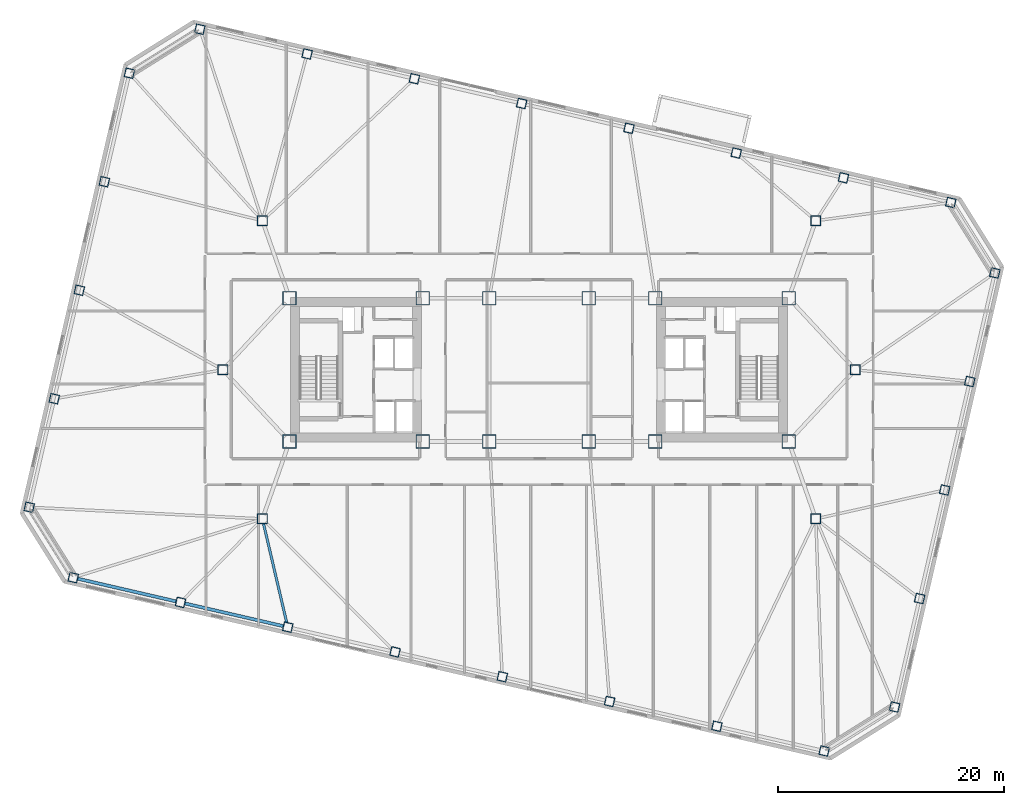
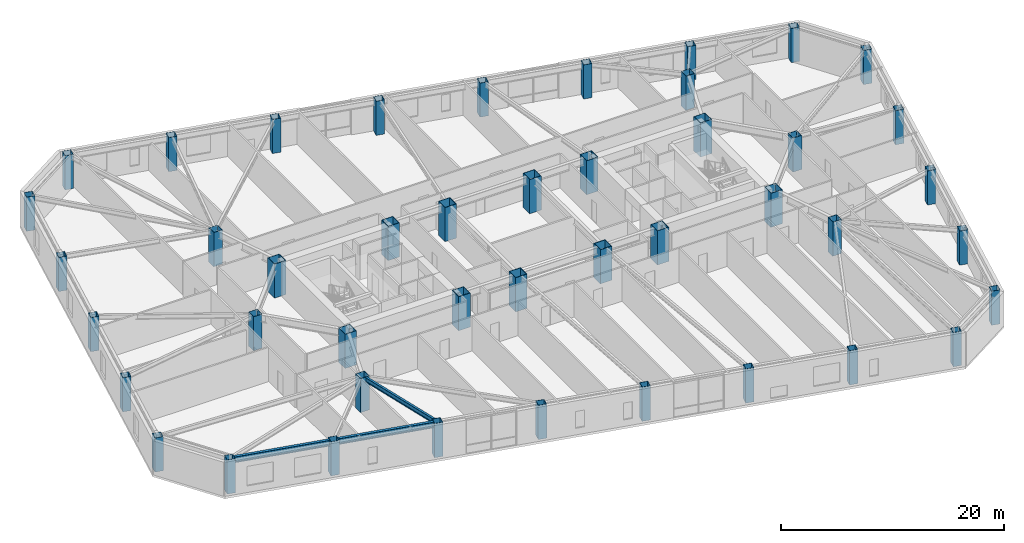
# One storey, part 1 of 19: 44 columns, 3 beams.
"""IFC4 building model written with IfcOpenShell, lengths in metres."""

from ifc_helpers import new_model, si_unit, direction, frame, origin, origin_2d, place, context, subcontext, project, spatial, hollow_rectangle, i_section, extrude, material, material_profile, profile_set, type_object, element, save


model = new_model("IFC4")

# Units and contexts
model_context = context("Model", 3, precision=1e-05, world=origin(), true_north=direction((0.0, 1.0)))
body_context = subcontext(model_context, "Body", "Model", "MODEL_VIEW")
ifc_project = project(units=[si_unit("LENGTHUNIT", "METRE"), si_unit("AREAUNIT", "SQUARE_METRE"), si_unit("VOLUMEUNIT", "CUBIC_METRE"), si_unit("PLANEANGLEUNIT", "RADIAN"), si_unit("MASSUNIT", "GRAM", prefix="KILO")], contexts=[model_context])

# Site, building, storey
site_placement = place(None, origin())
site = spatial("IfcSite", under=ifc_project, at=site_placement, CompositionType="ELEMENT")
building_placement = place(site_placement, origin())
building = spatial("IfcBuilding", under=site, at=building_placement, Name="Tavrogorsk Clinical Tower", CompositionType="ELEMENT")
storey_placement = place(building_placement, frame((0.0, 0.0, 75.39990234375)))
storey = spatial("IfcBuildingStorey", under=building, at=storey_placement, Name="L16", CompositionType="ELEMENT", Elevation=75.39990234375)

# Columns
ifc_material_1 = material(Name="Structural steel S440", Category="steel")
ifc_material_profile_1 = material_profile(ifc_material_1, hollow_rectangle(XDim=1.199951171875, YDim=1.199951171875, WallThickness=0.050048828125, at=origin_2d()), Name="BOX-1200x1200x50")
ifc_profile_set_1 = profile_set([ifc_material_profile_1], Name="Structural steel S440")
column_type_1 = type_object("IfcColumnType", Name="MegaCol_BOX1200", PredefinedType="COLUMN", material=ifc_profile_set_1)
for number, where, z_axis, x_axis, name in (
    (1, (-22.10009765625, -6.35009765625, 0.0), (0.0, 0.0, 1.0), (1.0, 0.0, 0.0), "L16 Mega Column MC-W1"),
    (2, (-22.10009765625, 6.35009765625, 0.0), (0.0, 0.0, 1.0), (1.0, 0.0, 0.0), "L16 Mega Column MC-W2"),
    (3, (-10.300048828125, -6.35009765625, 0.0), (0.0, 0.0, 1.0), (1.0, 0.0, 0.0), "L16 Mega Column MC-W3"),
    (4, (-10.300048828125, 6.35009765625, 0.0), (0.0, 0.0, 1.0), (1.0, 0.0, 0.0), "L16 Mega Column MC-W4"),
    (5, (10.300048828125, -6.35009765625, 0.0), (0.0, 0.0, 1.0), (1.0, 0.0, 0.0), "L16 Mega Column MC-E1"),
    (6, (10.300048828125, 6.35009765625, 0.0), (0.0, 0.0, 1.0), (1.0, 0.0, 0.0), "L16 Mega Column MC-E2"),
    (7, (22.10009765625, -6.35009765625, 0.0), (0.0, 0.0, 1.0), (1.0, 0.0, 0.0), "L16 Mega Column MC-E3"),
    (8, (22.10009765625, 6.35009765625, 0.0), (0.0, 0.0, 1.0), (1.0, 0.0, 0.0), "L16 Mega Column MC-E4"),
    (9, (-4.39990234375, -6.35009765625, 0.0), (0.0, 0.0, 1.0), (1.0, 0.0, 0.0), "L16 Mega Column MC-C1"),
    (10, (4.39990234375, -6.35009765625, 0.0), (0.0, 0.0, 1.0), (1.0, 0.0, 0.0), "L16 Mega Column MC-C2"),
    (11, (-4.39990234375, 6.35009765625, 0.0), (0.0, 0.0, 1.0), (1.0, 0.0, 0.0), "L16 Mega Column MC-C3"),
    (12, (4.39990234375, 6.35009765625, 0.0), (0.0, 0.0, 1.0), (1.0, 0.0, 0.0), "L16 Mega Column MC-C4"),
):
    element("IfcColumn", number, at=place(storey_placement, frame(where, z_axis=z_axis, x_axis=x_axis)), inside=storey, type_object=column_type_1, Name=name, PredefinedType="COLUMN", context=body_context, shape_type="SweptSolid", body=[
        extrude(hollow_rectangle(XDim=1.199951171875, YDim=1.199951171875, WallThickness=0.050048828125, at=origin_2d()), origin(), (0.0, 0.0, 1.0), 3.739990234375),
    ])
ifc_material_2 = material(Name="Structural steel S440", Category="steel")
ifc_material_profile_2 = material_profile(ifc_material_2, hollow_rectangle(XDim=0.89990234375, YDim=0.89990234375, WallThickness=0.0400390625, at=origin_2d()), Name="BOX-900x900x40")
ifc_profile_set_2 = profile_set([ifc_material_profile_2], Name="Structural steel S440")
column_type_2 = type_object("IfcColumnType", Name="MegaCol_BOX900", PredefinedType="COLUMN", material=ifc_profile_set_2)
for number, where, z_axis, x_axis, name in (
    (13, (-24.5, -13.199951171875, 0.0), (0.0, 0.0, 1.0), (1.0, 0.0, 0.0), "L16 Spine Pilotis Column MC-P1"),
    (14, (24.5, -13.199951171875, 0.0), (0.0, 0.0, 1.0), (1.0, 0.0, 0.0), "L16 Spine Pilotis Column MC-P2"),
    (15, (-24.5, 13.199951171875, 0.0), (0.0, 0.0, 1.0), (1.0, 0.0, 0.0), "L16 Spine Pilotis Column MC-P3"),
    (16, (24.5, 13.199951171875, 0.0), (0.0, 0.0, 1.0), (1.0, 0.0, 0.0), "L16 Spine Pilotis Column MC-P4"),
    (17, (-28.0, 0.0, 0.0), (0.0, 0.0, 1.0), (1.0, 0.0, 0.0), "L16 Spine Pilotis Column MC-P5"),
    (18, (28.0, 0.0, 0.0), (0.0, 0.0, 1.0), (1.0, 0.0, 0.0), "L16 Spine Pilotis Column MC-P6"),
):
    element("IfcColumn", number, at=place(storey_placement, frame(where, z_axis=z_axis, x_axis=x_axis)), inside=storey, type_object=column_type_2, Name=name, PredefinedType="COLUMN", context=body_context, shape_type="SweptSolid", body=[
        extrude(hollow_rectangle(XDim=0.89990234375, YDim=0.89990234375, WallThickness=0.0400390625, at=origin_2d()), origin(), (0.0, 0.0, 1.0), 3.739990234375),
    ])
ifc_material_3 = material(Name="Structural steel S440", Category="steel")
ifc_material_profile_3 = material_profile(ifc_material_3, hollow_rectangle(XDim=0.800048828125, YDim=0.800048828125, WallThickness=0.035888671875, at=origin_2d()), Name="BOX-800x800x36")
ifc_profile_set_3 = profile_set([ifc_material_profile_3], Name="Structural steel S440")
column_type_3 = type_object("IfcColumnType", Name="PerimCol_B1_BOX800", PredefinedType="COLUMN", material=ifc_profile_set_3)
for number, where, z_axis, x_axis, name in (
    (19, (-41.251220703125, -18.406005859375, 0.0), (0.0, 0.0, 1.0), (0.974370064785, -0.224951054344, 0.0), "L16 Perimeter Column S1"),
    (20, (-31.75244140625, -20.598876953125, 0.0), (0.0, 0.0, 1.0), (0.974370064785, -0.224951054344, 0.0), "L16 Perimeter Column S2"),
    (21, (-22.25390625, -22.7919921875, 0.0), (0.0, 0.0, 1.0), (0.974370064785, -0.224951054344, 0.0), "L16 Perimeter Column S3"),
    (22, (-12.755126953125, -24.98486328125, 0.0), (0.0, 0.0, 1.0), (0.974370064785, -0.224951054344, 0.0), "L16 Perimeter Column S4"),
    (23, (-3.25634765625, -27.177734375, 0.0), (0.0, 0.0, 1.0), (0.974370064785, -0.224951054344, 0.0), "L16 Perimeter Column S5"),
    (24, (6.2421875, -29.37060546875, 0.0), (0.0, 0.0, 1.0), (0.974370064785, -0.224951054344, 0.0), "L16 Perimeter Column S6"),
    (25, (15.740966796875, -31.563720703125, 0.0), (0.0, 0.0, 1.0), (0.974370064785, -0.224951054344, 0.0), "L16 Perimeter Column S7"),
    (26, (25.23974609375, -33.756591796875, 0.0), (0.0, 0.0, 1.0), (0.974370064785, -0.224951054344, 0.0), "L16 Perimeter Column S8"),
    (27, (36.451416015625, 14.805908203125, 0.0), (0.0, 0.0, 1.0), (0.974370064785, -0.224951054344, 0.0), "L16 Perimeter Column N1"),
    (28, (26.952392578125, 16.998779296875, 0.0), (0.0, 0.0, 1.0), (0.974370064785, -0.224951054344, 0.0), "L16 Perimeter Column N2"),
    (29, (17.453857421875, 19.19189453125, 0.0), (0.0, 0.0, 1.0), (0.974370064785, -0.224951054344, 0.0), "L16 Perimeter Column N3"),
    (30, (7.955078125, 21.384765625, 0.0), (0.0, 0.0, 1.0), (0.974370064785, -0.224951054344, 0.0), "L16 Perimeter Column N4"),
    (31, (-1.543701171875, 23.577880859375, 0.0), (0.0, 0.0, 1.0), (0.974370064785, -0.224951054344, 0.0), "L16 Perimeter Column N5"),
    (32, (-11.042236328125, 25.770751953125, 0.0), (0.0, 0.0, 1.0), (0.974370064785, -0.224951054344, 0.0), "L16 Perimeter Column N6"),
    (33, (-20.541015625, 27.963623046875, 0.0), (0.0, 0.0, 1.0), (0.974370064785, -0.224951054344, 0.0), "L16 Perimeter Column N7"),
    (34, (-30.039794921875, 30.156494140625, 0.0), (0.0, 0.0, 1.0), (0.974370064785, -0.224951054344, 0.0), "L16 Perimeter Column N8"),
    (35, (31.476318359375, -29.859619140625, 0.0), (0.0, 0.0, 1.0), (0.974370064785, -0.224951054344, 0.0), "L16 Perimeter Column E1"),
    (36, (33.694091796875, -20.25244140625, 0.0), (0.0, 0.0, 1.0), (0.974370064785, -0.224951054344, 0.0), "L16 Perimeter Column E2"),
    (37, (35.912109375, -10.64501953125, 0.0), (0.0, 0.0, 1.0), (0.974370064785, -0.224951054344, 0.0), "L16 Perimeter Column E3"),
    (38, (38.130126953125, -1.037841796875, 0.0), (0.0, 0.0, 1.0), (0.974370064785, -0.224951054344, 0.0), "L16 Perimeter Column E4"),
    (39, (40.348388671875, 8.569580078125, 0.0), (0.0, 0.0, 1.0), (0.974370064785, -0.224951054344, 0.0), "L16 Perimeter Column E5"),
    (40, (-36.276123046875, 26.259765625, 0.0), (0.0, 0.0, 1.0), (0.974370064785, -0.224951054344, 0.0), "L16 Perimeter Column W1"),
    (41, (-38.494140625, 16.65234375, 0.0), (0.0, 0.0, 1.0), (0.974370064785, -0.224951054344, 0.0), "L16 Perimeter Column W2"),
    (42, (-40.712158203125, 7.045166015625, 0.0), (0.0, 0.0, 1.0), (0.974370064785, -0.224951054344, 0.0), "L16 Perimeter Column W3"),
    (43, (-42.93017578125, -2.562255859375, 0.0), (0.0, 0.0, 1.0), (0.974370064785, -0.224951054344, 0.0), "L16 Perimeter Column W4"),
    (44, (-45.148193359375, -12.16943359375, 0.0), (0.0, 0.0, 1.0), (0.974370064785, -0.224951054344, 0.0), "L16 Perimeter Column W5"),
):
    element("IfcColumn", number, at=place(storey_placement, frame(where, z_axis=z_axis, x_axis=x_axis)), inside=storey, type_object=column_type_3, Name=name, PredefinedType="COLUMN", context=body_context, shape_type="SweptSolid", body=[
        extrude(hollow_rectangle(XDim=0.800048828125, YDim=0.800048828125, WallThickness=0.035888671875, at=origin_2d()), origin(), (0.0, 0.0, 1.0), 3.739990234375),
    ])

# Beams
ifc_material_4 = material(Name="Structural steel S355", Category="steel")
ifc_material_profile_4 = material_profile(ifc_material_4, i_section(OverallWidth=0.219970703125, OverallDepth=0.5, WebThickness=0.012939453125, FlangeThickness=0.02001953125, at=origin_2d()), Name="B-500x220x13x20")
ifc_profile_set_4 = profile_set([ifc_material_profile_4], Name="Structural steel S355")
beam_type_1 = type_object("IfcBeamType", Name="FloorBeam_B500", PredefinedType="BEAM", material=ifc_profile_set_4)
beam_placement = place(storey_placement, frame((-24.406494140625, -13.59912109375, 3.489990234375), z_axis=(0.227996771429, -0.973661888038, 0.0), x_axis=(0.973661888038, 0.227996771429, 0.0)))
element("IfcBeam", 45, at=beam_placement, inside=storey, type_object=beam_type_1, Name="L16 Radial Floor Beam S3", PredefinedType="BEAM", context=body_context, shape_type="SweptSolid", body=[
    extrude(i_section(OverallWidth=0.219970703125, OverallDepth=0.5, WebThickness=0.012939453125, FlangeThickness=0.02001953125, at=origin_2d()), origin(), (0.0, 0.0, 1.0), 9.033447265625),
])
ifc_material_5 = material(Name="Structural steel S390", Category="steel")
ifc_material_profile_5 = material_profile(ifc_material_5, i_section(OverallWidth=0.280029296875, OverallDepth=0.64990234375, WebThickness=0.01611328125, FlangeThickness=0.02490234375, at=origin_2d()), Name="B-650x280x16x25")
ifc_profile_set_5 = profile_set([ifc_material_profile_5], Name="Structural steel S390")
beam_type_2 = type_object("IfcBeamType", Name="SpandrelBeam_B650", PredefinedType="SPANDREL", material=ifc_profile_set_5)
for number, where, z_axis, x_axis, name in (
    (46, (-40.853759765625, -18.497802734375, 3.4150390625), (0.974372766602, -0.224939351168, 0.0), (0.224939351168, 0.974372766602, 0.0), "L16 Perimeter Spandrel S1-S2"),
    (47, (-31.35498046875, -20.690673828125, 3.4150390625), (0.974366775889, -0.224965299645, 0.0), (0.224965299645, 0.974366775889, 0.0), "L16 Perimeter Spandrel S2-S3"),
):
    element("IfcBeam", number, at=place(storey_placement, frame(where, z_axis=z_axis, x_axis=x_axis)), inside=storey, type_object=beam_type_2, Name=name, PredefinedType="SPANDREL", context=body_context, shape_type="SweptSolid", body=[
        extrude(i_section(OverallWidth=0.280029296875, OverallDepth=0.64990234375, WebThickness=0.01611328125, FlangeThickness=0.02490234375, at=origin_2d()), origin(), (0.0, 0.0, 1.0), 8.9326171875),
    ])

save(model, "model.ifc")
